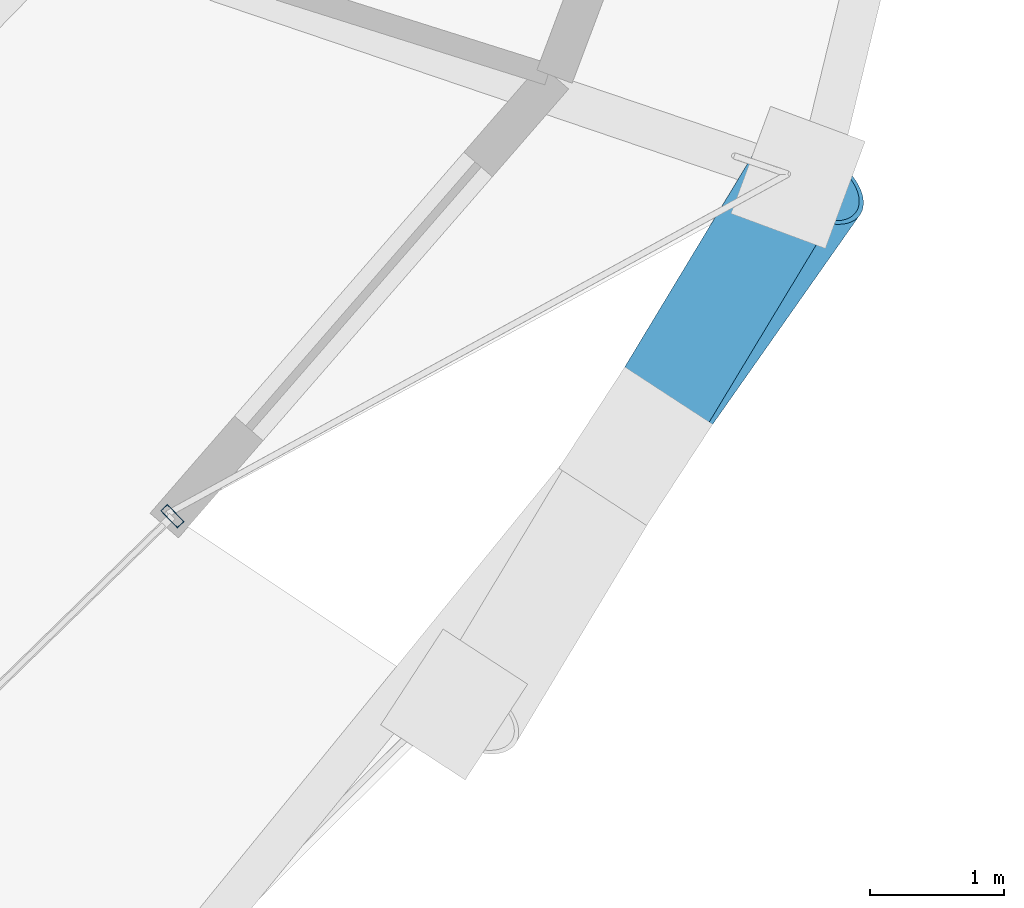
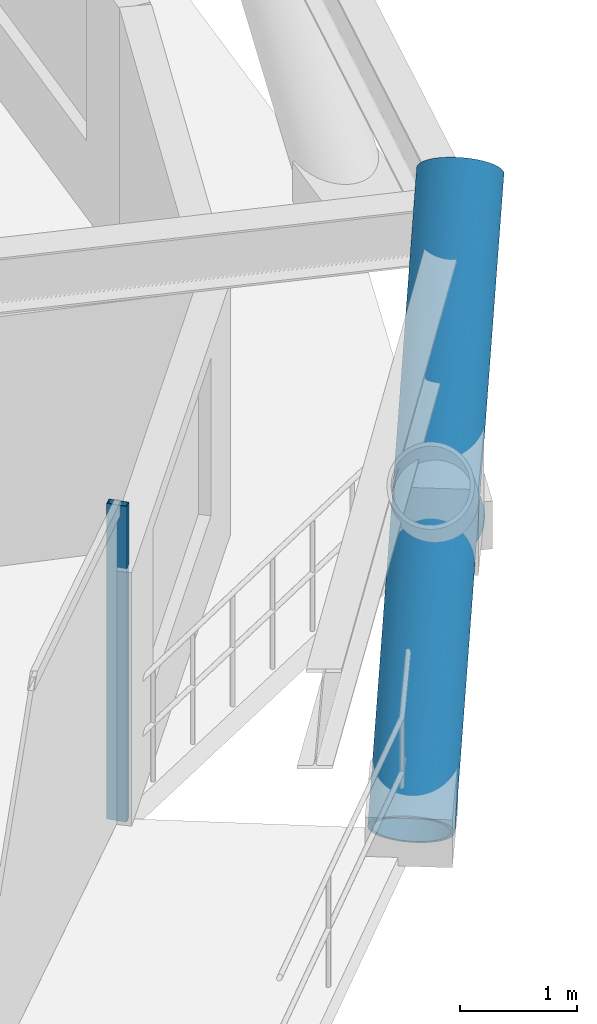
# One storey, part 10 of 19: 3 members, 1 element without a shape of its own.
"""IFC4 building model written with IfcOpenShell, lengths in metres."""

from ifc_helpers import new_model, si_unit, direction, frame, origin, origin_2d, place, context, subcontext, project, spatial, hollow_rectangle, hollow_circle, extrude, material, layer, layer_set, material_profile, profile_set, type_object, element, aggregate, save


model = new_model("IFC4")

# Units and contexts
model_context = context("Model", 3, precision=1e-05, world=origin(), true_north=direction((0.0, 1.0)))
body_context = subcontext(model_context, "Body", "Model", "MODEL_VIEW")
ifc_project = project(units=[si_unit("LENGTHUNIT", "METRE"), si_unit("AREAUNIT", "SQUARE_METRE"), si_unit("VOLUMEUNIT", "CUBIC_METRE"), si_unit("PLANEANGLEUNIT", "RADIAN"), si_unit("MASSUNIT", "GRAM", prefix="KILO")], contexts=[model_context])

# Site, building, storey
site_placement = place(None, origin())
site = spatial("IfcSite", under=ifc_project, at=site_placement, CompositionType="ELEMENT")
building_placement = place(site_placement, origin())
building = spatial("IfcBuilding", under=site, at=building_placement, Name="Veldorina Hangang Commons", CompositionType="ELEMENT")
storey_placement = place(building_placement, frame((0.0, 0.0, 34.0)))
storey = spatial("IfcBuildingStorey", under=building, at=storey_placement, Name="L07", CompositionType="ELEMENT", Elevation=34.0)

# Curtain wall, member
ifc_material_1 = material(Name="Glass Low-E Triple IGU", Category="glass")
ifc_layer = layer(ifc_material_1, 0.179931640625)
ifc_layer_set = layer_set([ifc_layer], Name="Glass Low-E Triple IGU")
curtain_wall_type = type_object("IfcCurtainWallType", Name="CW-SYS-Z1", PredefinedType="NOTDEFINED", material=ifc_layer_set)
curtain_wall_placement = place(storey_placement, origin())
curtain_wall = element("IfcCurtainWall", 1, at=curtain_wall_placement, inside=storey, type_object=curtain_wall_type, Name="L07 unitised curtain wall CW-L07-R2", PredefinedType="NOTDEFINED")
ifc_material_2 = material(Name="Aluminium Anodized AA6063-T6", Category="aluminium")
ifc_material_profile_1 = material_profile(ifc_material_2, hollow_rectangle(XDim=0.070068359375, YDim=0.179931640625, WallThickness=0.00390625, at=origin_2d()), Name="ALU-RHS-180x70x4")
ifc_profile_set_1 = profile_set([ifc_material_profile_1], Name="Aluminium Anodized AA6063-T6")
member_type_1 = type_object("IfcMemberType", Name="CW-MUL-180", PredefinedType="MULLION", material=ifc_profile_set_1)
member_1_placement = place(storey_placement, frame((52.90966796875, 12.806396484375, 0.0), z_axis=(0.0, 0.0, 1.0), x_axis=(-0.715558634406, -0.6985526757, 0.0)))
member_1 = element("IfcMember", 2, at=member_1_placement, type_object=member_type_1, Name="CW-L07-R2 vertical mullion 4", PredefinedType="MULLION", context=body_context, shape_type="SweptSolid", body=[
    extrude(hollow_rectangle(XDim=0.070068359375, YDim=0.179931640625, WallThickness=0.00390625, at=origin_2d()), origin(), (0.0, 0.0, 1.0), 3.300048828125),
])
aggregate(curtain_wall, [member_1])

# Members
ifc_material_3 = material(Name="Steel SM460-TMC", Category="steel")
ifc_material_profile_2 = material_profile(ifc_material_3, hollow_circle(Radius=0.375, WallThickness=0.035888671875, at=origin_2d()), Name="CHS-750x36")
ifc_profile_set_2 = profile_set([ifc_material_profile_2], Name="Steel SM460-TMC")
member_type_2 = type_object("IfcMemberType", Name="DG-CHS750", PredefinedType="BRACE", material=ifc_profile_set_2)
member_2_placement = place(storey_placement, frame((55.0048828125, 11.406494140625, 0.0), z_axis=(0.45699615927, 0.650111102351, 0.607050298586), x_axis=(-0.818096182957, 0.57508141635, 0.0)))
element("IfcMember", 3, at=member_2_placement, inside=storey, type_object=member_type_2, Name="L07 continuous perimeter diagrid brace 29", PredefinedType="BRACE", context=body_context, shape_type="SweptSolid", body=[
    extrude(hollow_circle(Radius=0.375, WallThickness=0.035888671875, at=origin_2d()), origin(), (0.0, 0.0, 1.0), 5.930419921875),
])
member_3_placement = place(storey_placement, frame((57.561767578125, 15.325439453125, 0.0), z_axis=(-0.409805552195, -0.678779323854, 0.609358711187), x_axis=(0.856077544355, -0.516847403062, 0.0)))
element("IfcMember", 4, at=member_3_placement, inside=storey, type_object=member_type_2, Name="L07 split perimeter diagrid lower brace 30", PredefinedType="BRACE", context=body_context, shape_type="SweptSolid", body=[
    extrude(hollow_circle(Radius=0.375, WallThickness=0.035888671875, at=origin_2d()), origin(), (0.0, 0.0, 1.0), 2.943603515625),
])

save(model, "model.ifc")
